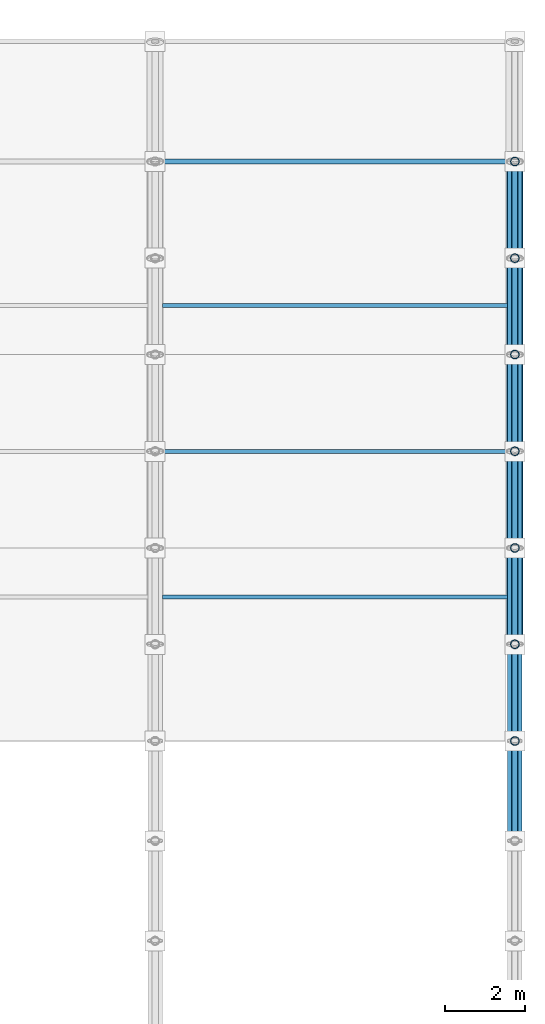
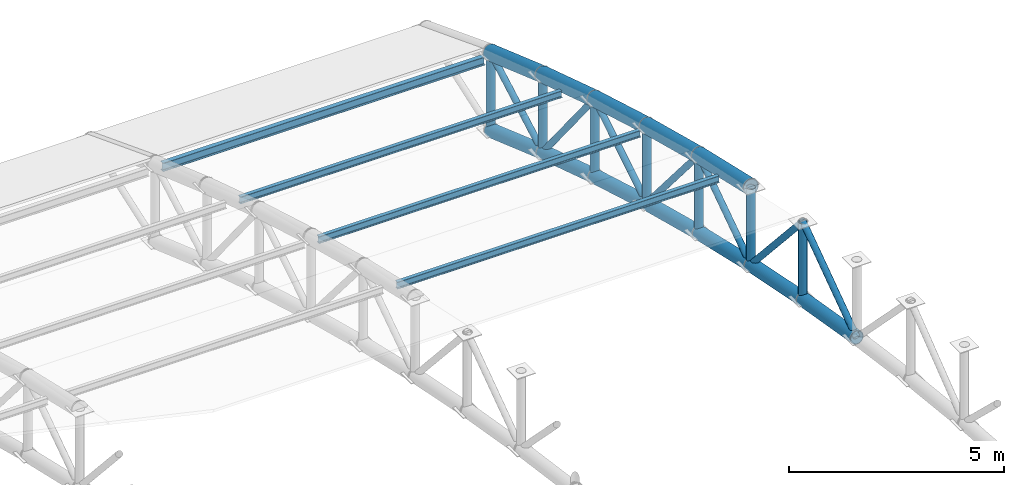
# One storey, part 90 of 195: 30 members.
"""IFC4 building model written with IfcOpenShell, lengths in metres."""

from ifc_helpers import new_model, si_unit, direction, frame, origin, origin_2d, place, context, subcontext, project, spatial, hollow_circle, i_section, extrude, material, material_profile, profile_set, type_object, element, save


model = new_model("IFC4")

# Units and contexts
model_context = context("Model", 3, precision=1e-05, world=origin(), true_north=direction((0.0, 1.0)))
body_context = subcontext(model_context, "Body", "Model", "MODEL_VIEW")
ifc_project = project(units=[si_unit("LENGTHUNIT", "METRE"), si_unit("AREAUNIT", "SQUARE_METRE"), si_unit("VOLUMEUNIT", "CUBIC_METRE"), si_unit("PLANEANGLEUNIT", "RADIAN"), si_unit("MASSUNIT", "GRAM", prefix="KILO")], contexts=[model_context])

# Site, building, storey
site_placement = place(None, origin())
site = spatial("IfcSite", under=ifc_project, at=site_placement, CompositionType="ELEMENT")
building_placement = place(site_placement, origin())
building = spatial("IfcBuilding", under=site, at=building_placement, Name="Marlcrest Central Station", CompositionType="ELEMENT")
storey_placement = place(building_placement, frame((0.0, 0.0, 9.800048828125)))
storey = spatial("IfcBuildingStorey", under=building, at=storey_placement, Name="L02", CompositionType="ELEMENT", Elevation=9.800048828125)

# Members
ifc_material = material(Name="Steel S355", Category="steel")
ifc_material_profile_1 = material_profile(ifc_material, hollow_circle(Radius=0.203125, WallThickness=0.02001953125, at=origin_2d()), Name="CHS 406.4x20")
ifc_profile_set_1 = profile_set([ifc_material_profile_1], Name="Steel S355")
member_type_1 = type_object("IfcMemberType", Name="AC-01", PredefinedType="CHORD", material=ifc_profile_set_1)
member_1_placement = place(storey_placement, frame((216.0, 83.419921875, 5.116943359375), z_axis=(0.0, 0.974329612642, -0.225126200004), x_axis=(-1.0, 0.0, 0.0)))
element("IfcMember", 1, at=member_1_placement, inside=storey, type_object=member_type_1, Name="mem-AC-01-L02-02096", PredefinedType="CHORD", context=body_context, shape_type="SweptSolid", body=[
    extrude(hollow_circle(Radius=0.203125, WallThickness=0.02001953125, at=origin_2d()), origin(), (0.0, 0.0, 1.0), 2.4736328125),
])
member_2_placement = place(storey_placement, frame((216.0, 85.830078125, 4.56005859375), z_axis=(0.0, 0.967539481681, -0.252719906989), x_axis=(-1.0, 0.0, 0.0)))
element("IfcMember", 2, at=member_2_placement, inside=storey, type_object=member_type_1, Name="mem-AC-01-L02-02100", PredefinedType="CHORD", context=body_context, shape_type="SweptSolid", body=[
    extrude(hollow_circle(Radius=0.203125, WallThickness=0.02001953125, at=origin_2d()), origin(), (0.0, 0.0, 1.0), 2.501220703125),
])
member_3_placement = place(storey_placement, frame((216.0, 88.25, 3.927978515625), z_axis=(0.0, 0.960130083362, -0.27955361386), x_axis=(-1.0, 0.0, 0.0)))
element("IfcMember", 3, at=member_3_placement, inside=storey, type_object=member_type_1, Name="mem-AC-01-L02-02104", PredefinedType="CHORD", context=body_context, shape_type="SweptSolid", body=[
    extrude(hollow_circle(Radius=0.203125, WallThickness=0.02001953125, at=origin_2d()), origin(), (0.0, 0.0, 1.0), 2.5205078125),
])
member_4_placement = place(storey_placement, frame((216.0, 90.669921875, 3.223388671875), z_axis=(0.0, 0.952116828449, -0.305734435391), x_axis=(-1.0, 0.0, 0.0)))
element("IfcMember", 4, at=member_4_placement, inside=storey, type_object=member_type_1, Name="mem-AC-01-L02-02108", PredefinedType="CHORD", context=body_context, shape_type="SweptSolid", body=[
    extrude(hollow_circle(Radius=0.203125, WallThickness=0.02001953125, at=origin_2d()), origin(), (0.0, 0.0, 1.0), 2.53125),
])
member_5_placement = place(storey_placement, frame((216.0, 93.080078125, 2.449462890625), z_axis=(0.0, 0.94353735649, -0.331266142109), x_axis=(-1.0, 0.0, 0.0)))
element("IfcMember", 5, at=member_5_placement, inside=storey, type_object=member_type_1, Name="mem-AC-01-L02-02112", PredefinedType="CHORD", context=body_context, shape_type="SweptSolid", body=[
    extrude(hollow_circle(Radius=0.203125, WallThickness=0.02001953125, at=origin_2d()), origin(), (0.0, 0.0, 1.0), 2.564697265625),
])
ifc_material_profile_2 = material_profile(ifc_material, hollow_circle(Radius=0.177734375, WallThickness=0.01611328125, at=origin_2d()), Name="CHS 355.6x16")
ifc_profile_set_2 = profile_set([ifc_material_profile_2], Name="Steel S355")
member_type_2 = type_object("IfcMemberType", Name="AC-02", PredefinedType="CHORD", material=ifc_profile_set_2)
member_6_placement = place(storey_placement, frame((216.0, 78.5, 3.83056640625), z_axis=(0.0, 0.98574109921, -0.168269086076), x_axis=(-1.0, 0.0, 0.0)))
element("IfcMember", 6, at=member_6_placement, inside=storey, type_object=member_type_2, Name="mem-AC-02-L02-02089", PredefinedType="CHORD", context=body_context, shape_type="SweptSolid", body=[
    extrude(hollow_circle(Radius=0.177734375, WallThickness=0.01611328125, at=origin_2d()), origin(), (0.0, 0.0, 1.0), 2.5361328125),
])
member_7_placement = place(storey_placement, frame((216.0, 81.0, 3.40380859375), z_axis=(0.0, 0.980359417961, -0.197219196874), x_axis=(-1.0, 0.0, 0.0)))
element("IfcMember", 7, at=member_7_placement, inside=storey, type_object=member_type_2, Name="mem-AC-02-L02-02093", PredefinedType="CHORD", context=body_context, shape_type="SweptSolid", body=[
    extrude(hollow_circle(Radius=0.177734375, WallThickness=0.01611328125, at=origin_2d()), origin(), (0.0, 0.0, 1.0), 2.468505859375),
])
member_8_placement = place(storey_placement, frame((216.0, 83.419921875, 2.9169921875), z_axis=(0.0, 0.974307959875, -0.225219891049), x_axis=(-1.0, 0.0, 0.0)))
element("IfcMember", 8, at=member_8_placement, inside=storey, type_object=member_type_2, Name="mem-AC-02-L02-02097", PredefinedType="CHORD", context=body_context, shape_type="SweptSolid", body=[
    extrude(hollow_circle(Radius=0.177734375, WallThickness=0.01611328125, at=origin_2d()), origin(), (0.0, 0.0, 1.0), 2.4736328125),
])
member_9_placement = place(storey_placement, frame((216.0, 85.830078125, 2.35986328125), z_axis=(0.0, 0.967563345928, -0.252628524946), x_axis=(-1.0, 0.0, 0.0)))
element("IfcMember", 9, at=member_9_placement, inside=storey, type_object=member_type_2, Name="mem-AC-02-L02-02101", PredefinedType="CHORD", context=body_context, shape_type="SweptSolid", body=[
    extrude(hollow_circle(Radius=0.177734375, WallThickness=0.01611328125, at=origin_2d()), origin(), (0.0, 0.0, 1.0), 2.5009765625),
])
member_10_placement = place(storey_placement, frame((216.0, 88.25, 1.72802734375), z_axis=(0.0, 0.960130083362, -0.27955361386), x_axis=(-1.0, 0.0, 0.0)))
element("IfcMember", 10, at=member_10_placement, inside=storey, type_object=member_type_2, Name="mem-AC-02-L02-02105", PredefinedType="CHORD", context=body_context, shape_type="SweptSolid", body=[
    extrude(hollow_circle(Radius=0.177734375, WallThickness=0.01611328125, at=origin_2d()), origin(), (0.0, 0.0, 1.0), 2.5205078125),
])
member_11_placement = place(storey_placement, frame((216.0, 90.669921875, 1.0234375), z_axis=(0.0, 0.952116828449, -0.305734435391), x_axis=(-1.0, 0.0, 0.0)))
element("IfcMember", 11, at=member_11_placement, inside=storey, type_object=member_type_2, Name="mem-AC-02-L02-02109", PredefinedType="CHORD", context=body_context, shape_type="SweptSolid", body=[
    extrude(hollow_circle(Radius=0.177734375, WallThickness=0.01611328125, at=origin_2d()), origin(), (0.0, 0.0, 1.0), 2.53125),
])
member_12_placement = place(storey_placement, frame((216.0, 93.080078125, 0.24951171875), z_axis=(0.0, 0.94353735649, -0.331266142109), x_axis=(-1.0, 0.0, 0.0)))
element("IfcMember", 12, at=member_12_placement, inside=storey, type_object=member_type_2, Name="mem-AC-02-L02-02113", PredefinedType="CHORD", context=body_context, shape_type="SweptSolid", body=[
    extrude(hollow_circle(Radius=0.177734375, WallThickness=0.01611328125, at=origin_2d()), origin(), (0.0, 0.0, 1.0), 2.564697265625),
])
ifc_material_profile_3 = material_profile(ifc_material, hollow_circle(Radius=0.084228515625, WallThickness=0.010009765625, at=origin_2d()), Name="CHS 168.3x10")
ifc_profile_set_3 = profile_set([ifc_material_profile_3], Name="Steel S355")
member_type_3 = type_object("IfcMemberType", Name="AD-01", PredefinedType="BRACE", material=ifc_profile_set_3)
member_13_placement = place(storey_placement, frame((216.0, 78.5, 3.83056640625), z_axis=(0.0, 0.815661132754, 0.57852996164), x_axis=(-1.0, 0.0, 0.0)))
element("IfcMember", 13, at=member_13_placement, inside=storey, type_object=member_type_3, Name="mem-AD-01-L02-02091", PredefinedType="BRACE", context=body_context, shape_type="SweptSolid", body=[
    extrude(hollow_circle(Radius=0.084228515625, WallThickness=0.010009765625, at=origin_2d()), origin(), (0.0, 0.0, 1.0), 3.06494140625),
])
member_14_placement = place(storey_placement, frame((216.0, 81.0, 5.603759765625), z_axis=(0.0, 0.669244457479, -0.743042297675), x_axis=(-1.0, 0.0, 0.0)))
element("IfcMember", 14, at=member_14_placement, inside=storey, type_object=member_type_3, Name="mem-AD-01-L02-02095", PredefinedType="BRACE", context=body_context, shape_type="SweptSolid", body=[
    extrude(hollow_circle(Radius=0.084228515625, WallThickness=0.010009765625, at=origin_2d()), origin(), (0.0, 0.0, 1.0), 3.615966796875),
])
member_15_placement = place(storey_placement, frame((216.0, 83.419921875, 2.9169921875), z_axis=(0.0, 0.82626275624, 0.563284881432), x_axis=(-1.0, 0.0, 0.0)))
element("IfcMember", 15, at=member_15_placement, inside=storey, type_object=member_type_3, Name="mem-AD-01-L02-02099", PredefinedType="BRACE", context=body_context, shape_type="SweptSolid", body=[
    extrude(hollow_circle(Radius=0.084228515625, WallThickness=0.010009765625, at=origin_2d()), origin(), (0.0, 0.0, 1.0), 2.9169921875),
])
member_16_placement = place(storey_placement, frame((216.0, 85.830078125, 4.56005859375), z_axis=(0.0, 0.649624779144, -0.760254987699), x_axis=(-1.0, 0.0, 0.0)))
element("IfcMember", 16, at=member_16_placement, inside=storey, type_object=member_type_3, Name="mem-AD-01-L02-02103", PredefinedType="BRACE", context=body_context, shape_type="SweptSolid", body=[
    extrude(hollow_circle(Radius=0.084228515625, WallThickness=0.010009765625, at=origin_2d()), origin(), (0.0, 0.0, 1.0), 3.72509765625),
])
member_17_placement = place(storey_placement, frame((216.0, 88.25, 1.72802734375), z_axis=(0.0, 0.850687380038, 0.525671933286), x_axis=(-1.0, 0.0, 0.0)))
element("IfcMember", 17, at=member_17_placement, inside=storey, type_object=member_type_3, Name="mem-AD-01-L02-02107", PredefinedType="BRACE", context=body_context, shape_type="SweptSolid", body=[
    extrude(hollow_circle(Radius=0.084228515625, WallThickness=0.010009765625, at=origin_2d()), origin(), (0.0, 0.0, 1.0), 2.8447265625),
])
member_18_placement = place(storey_placement, frame((216.0, 90.669921875, 3.223388671875), z_axis=(0.0, 0.62962929743, -0.776895712318), x_axis=(-1.0, 0.0, 0.0)))
element("IfcMember", 18, at=member_18_placement, inside=storey, type_object=member_type_3, Name="mem-AD-01-L02-02111", PredefinedType="BRACE", context=body_context, shape_type="SweptSolid", body=[
    extrude(hollow_circle(Radius=0.084228515625, WallThickness=0.010009765625, at=origin_2d()), origin(), (0.0, 0.0, 1.0), 3.827880859375),
])
member_19_placement = place(storey_placement, frame((216.0, 93.080078125, 0.24951171875), z_axis=(0.0, 0.873245653167, 0.487280236851), x_axis=(-1.0, 0.0, 0.0)))
element("IfcMember", 19, at=member_19_placement, inside=storey, type_object=member_type_3, Name="mem-AD-01-L02-02115", PredefinedType="BRACE", context=body_context, shape_type="SweptSolid", body=[
    extrude(hollow_circle(Radius=0.084228515625, WallThickness=0.010009765625, at=origin_2d()), origin(), (0.0, 0.0, 1.0), 2.771240234375),
])
ifc_material_profile_4 = material_profile(ifc_material, hollow_circle(Radius=0.109619140625, WallThickness=0.012451171875, at=origin_2d()), Name="CHS 219.1x12.5")
ifc_profile_set_4 = profile_set([ifc_material_profile_4], Name="Steel S355")
member_type_4 = type_object("IfcMemberType", Name="AP-01", PredefinedType="POST", material=ifc_profile_set_4)
for number, where, z_axis, x_axis, name in (
    (20, (216.0, 81.0, 3.40380859375), (0.0, 0.0, 1.0), (1.0, 0.0, 0.0), "mem-AP-01-L02-02094"),
    (21, (216.0, 83.419921875, 2.9169921875), (0.0, 0.0, 1.0), (1.0, 0.0, 0.0), "mem-AP-01-L02-02098"),
):
    element("IfcMember", number, at=place(storey_placement, frame(where, z_axis=z_axis, x_axis=x_axis)), inside=storey, type_object=member_type_4, Name=name, PredefinedType="POST", context=body_context, shape_type="SweptSolid", body=[
        extrude(hollow_circle(Radius=0.109619140625, WallThickness=0.012451171875, at=origin_2d()), origin(), (0.0, 0.0, 1.0), 2.199951171875),
    ])
member_20_placement = place(storey_placement, frame((216.0, 85.830078125, 2.35986328125), z_axis=(0.0, 0.0, 1.0), x_axis=(1.0, 0.0, 0.0)))
element("IfcMember", 22, at=member_20_placement, inside=storey, type_object=member_type_4, Name="mem-AP-01-L02-02102", PredefinedType="POST", context=body_context, shape_type="SweptSolid", body=[
    extrude(hollow_circle(Radius=0.109619140625, WallThickness=0.012451171875, at=origin_2d()), origin(), (0.0, 0.0, 1.0), 2.2001953125),
])
for number, where, z_axis, x_axis, name in (
    (23, (216.0, 88.25, 1.72802734375), (0.0, 0.0, 1.0), (1.0, 0.0, 0.0), "mem-AP-01-L02-02106"),
    (24, (216.0, 90.669921875, 1.0234375), (0.0, 0.0, 1.0), (1.0, 0.0, 0.0), "mem-AP-01-L02-02110"),
    (25, (216.0, 93.080078125, 0.24951171875), (0.0, 0.0, 1.0), (1.0, 0.0, 0.0), "mem-AP-01-L02-02114"),
    (26, (216.0, 95.5, -0.60009765625), (0.0, 0.0, 1.0), (1.0, 0.0, 0.0), "mem-AP-01-L02-02117"),
):
    element("IfcMember", number, at=place(storey_placement, frame(where, z_axis=z_axis, x_axis=x_axis)), inside=storey, type_object=member_type_4, Name=name, PredefinedType="POST", context=body_context, shape_type="SweptSolid", body=[
        extrude(hollow_circle(Radius=0.109619140625, WallThickness=0.012451171875, at=origin_2d()), origin(), (0.0, 0.0, 1.0), 2.199951171875),
    ])
ifc_material_profile_5 = material_profile(ifc_material, i_section(OverallWidth=0.10009765625, OverallDepth=0.199951171875, WebThickness=0.005615234375, FlangeThickness=0.008544921875, FilletRadius=0.011962890625, at=origin_2d()), Name="IPE 200")
ifc_profile_set_5 = profile_set([ifc_material_profile_5], Name="Steel S355")
member_type_5 = type_object("IfcMemberType", Name="PR-01", PredefinedType="PURLIN", material=ifc_profile_set_5)
for number, where, z_axis, x_axis, name in (
    (27, (207.179931640625, 84.60009765625, 4.713134765625), (1.0, 0.0, 0.0), (0.0, 1.0, 0.0), "mem-PR-01-L02-02013"),
    (28, (207.179931640625, 88.25, 3.7880859375), (1.0, 0.0, 0.0), (0.0, 1.0, 0.0), "mem-PR-01-L02-02014"),
    (29, (207.179931640625, 91.89990234375, 2.697509765625), (1.0, 0.0, 0.0), (0.0, 1.0, 0.0), "mem-PR-01-L02-02015"),
):
    element("IfcMember", number, at=place(storey_placement, frame(where, z_axis=z_axis, x_axis=x_axis)), inside=storey, type_object=member_type_5, Name=name, PredefinedType="PURLIN", context=body_context, shape_type="SweptSolid", body=[
        extrude(i_section(OverallWidth=0.10009765625, OverallDepth=0.199951171875, WebThickness=0.005615234375, FlangeThickness=0.008544921875, FilletRadius=0.011962890625, at=origin_2d()), origin(), (0.0, 0.0, 1.0), 8.64013671875),
    ])
ifc_material_profile_6 = material_profile(ifc_material, i_section(OverallWidth=0.1201171875, OverallDepth=0.239990234375, WebThickness=0.006103515625, FlangeThickness=0.009765625, FilletRadius=0.014892578125, at=origin_2d()), Name="IPE 240")
ifc_profile_set_6 = profile_set([ifc_material_profile_6], Name="Steel S355")
member_type_6 = type_object("IfcMemberType", Name="PR-02", PredefinedType="PURLIN", material=ifc_profile_set_6)
member_21_placement = place(storey_placement, frame((207.179931640625, 95.5, 1.4599609375), z_axis=(1.0, 0.0, 0.0), x_axis=(0.0, 1.0, 0.0)))
element("IfcMember", 30, at=member_21_placement, inside=storey, type_object=member_type_6, Name="mem-PR-02-L02-02016", PredefinedType="PURLIN", context=body_context, shape_type="SweptSolid", body=[
    extrude(i_section(OverallWidth=0.1201171875, OverallDepth=0.239990234375, WebThickness=0.006103515625, FlangeThickness=0.009765625, FilletRadius=0.014892578125, at=origin_2d()), origin(), (0.0, 0.0, 1.0), 8.64013671875),
])

save(model, "model.ifc")
